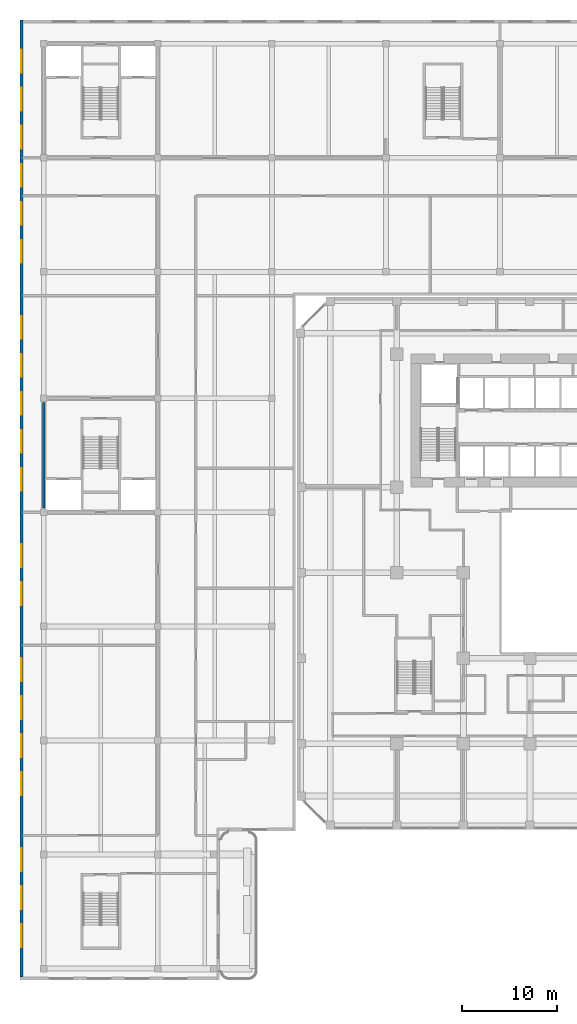
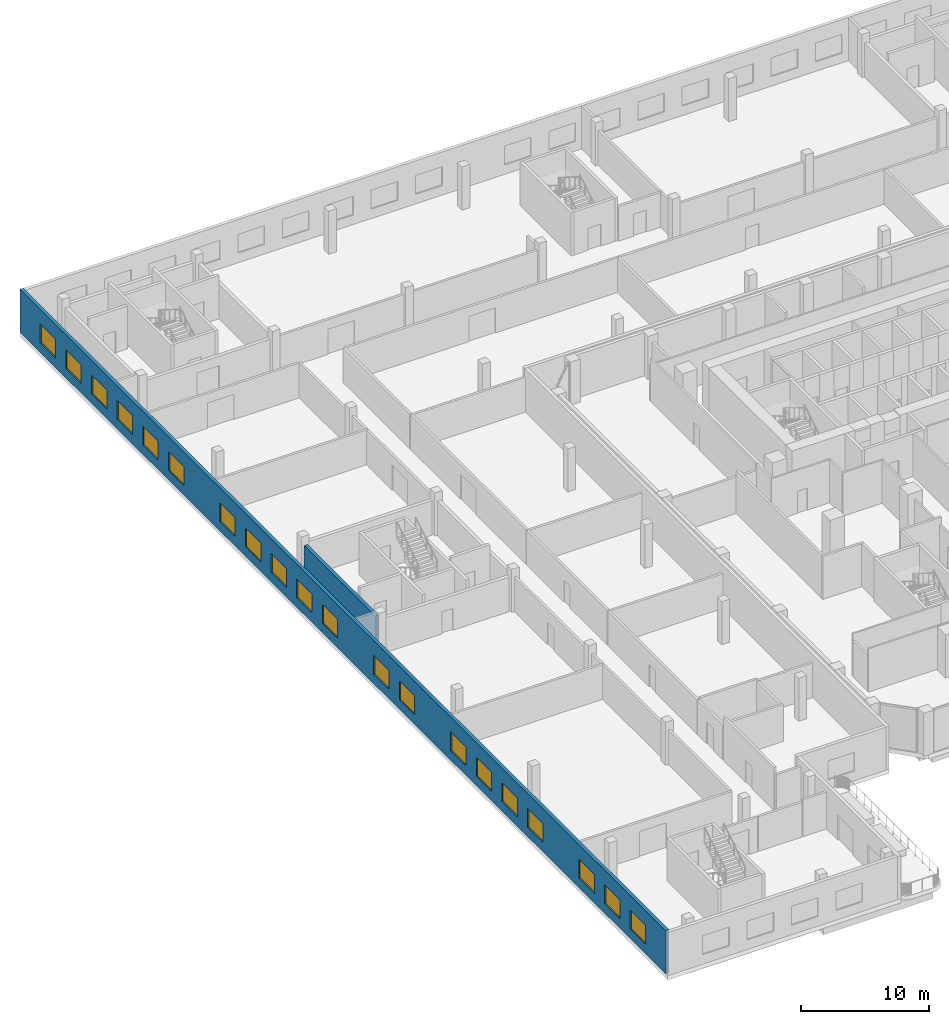
# One storey, part 16 of 36: 20 windows, 2 walls, 20 openings.
"""IFC4 building model written with IfcOpenShell, lengths in metres."""

from ifc_helpers import new_model, si_unit, direction, frame, frame_2d, origin, place, context, subcontext, project, spatial, rectangle, extrude, source, transform, mapped, material, layer, layer_set, type_object, element, fill, save


model = new_model("IFC4")

# Units and contexts
model_context = context("Model", 3, precision=1e-05, world=origin(), true_north=direction((0.0, 1.0)))
body_context = subcontext(model_context, "Body", "Model", "MODEL_VIEW")
ifc_project = project(units=[si_unit("LENGTHUNIT", "METRE"), si_unit("AREAUNIT", "SQUARE_METRE"), si_unit("VOLUMEUNIT", "CUBIC_METRE"), si_unit("PLANEANGLEUNIT", "RADIAN"), si_unit("MASSUNIT", "GRAM", prefix="KILO")], contexts=[model_context])

# Site, building, storey
site_placement = place(None, origin())
site = spatial("IfcSite", under=ifc_project, at=site_placement, CompositionType="ELEMENT")
building_placement = place(site_placement, origin())
building = spatial("IfcBuilding", under=site, at=building_placement, Name="Kilnfold Tower and Market Hall", CompositionType="ELEMENT")
storey_placement = place(building_placement, frame((0.0, 0.0, 18.0)))
storey = spatial("IfcBuildingStorey", under=building, at=storey_placement, Name="L03", CompositionType="ELEMENT", Elevation=18.0)

# Wall
ifc_material_1 = material(Name="Concrete C50/60", Category="concrete")
ifc_layer_1 = layer(ifc_material_1, 0.300048828125)
ifc_layer_set_1 = layer_set([ifc_layer_1], Name="Concrete C50/60")
wall_type_1 = type_object("IfcWallType", Name="HALL CORE WALL 300", PredefinedType="SHEAR", material=ifc_layer_set_1)
shared_shape_1 = source(origin(), body_context, "Body", "SweptSolid", [
    extrude(rectangle(XDim=11.099853515625, YDim=0.300048828125, at=frame_2d((5.5498046875, 0.0))), origin(), (0.0, 0.0, 1.0), 3.300048828125),
])
wall_1_placement = place(storey_placement, frame((-54.64990234375, 5.800048828125, 0.0), z_axis=(0.0, 0.0, 1.0), x_axis=(0.0, 1.0, 0.0)))
element("IfcWall", 1, at=wall_1_placement, inside=storey, type_object=wall_type_1, Name="Core wall MH1", PredefinedType="SHEAR", context=body_context, shape_type="MappedRepresentation", body=[
    mapped(shared_shape_1, transform((0.0, 0.0, 0.0))),
])

# Wall, openings, windows
ifc_material_2 = material(Name="Concrete blockwork", Category="masonry")
ifc_layer_2 = layer(ifc_material_2, 0.300048828125)
ifc_layer_set_2 = layer_set([ifc_layer_2], Name="Concrete blockwork")
wall_type_2 = type_object("IfcWallType", Name="HALL EXTERNAL WALL 300 EI 60", PredefinedType="SOLIDWALL", material=ifc_layer_set_2)
shared_shape_2 = source(origin(), body_context, "Body", "SweptSolid", [
    extrude(rectangle(XDim=100.699951171875, YDim=0.300048828125, at=frame_2d((50.35009765625, 0.0))), origin(), (0.0, 0.0, 1.0), 4.10009765625),
])
wall_2_placement = place(storey_placement, frame((-57.0, -43.550048828125, 0.0), z_axis=(0.0, 0.0, 1.0), x_axis=(0.0, 1.0, 0.0)))
wall_2 = element("IfcWall", 2, at=wall_2_placement, inside=storey, type_object=wall_type_2, Name="External wall MEW-L03.1", PredefinedType="SOLIDWALL", context=body_context, shape_type="MappedRepresentation", body=[
    mapped(shared_shape_2, transform((0.0, 0.0, 0.0))),
])
opening_1_placement = place(wall_2_placement, frame((3.14990234375, 0.0, 0.89990234375)))
opening_1 = element("IfcOpeningElement", 3, at=opening_1_placement, cuts=wall_2, Name="Opening MEN3", PredefinedType="OPENING", context=body_context, shape_type="SweptSolid", body=[
    extrude(rectangle(XDim=2.39990234375, YDim=1.800048828125, at=frame_2d((1.199951171875, 0.89990234375))), frame((0.0, 0.16015625, 0.0), z_axis=(0.0, -1.0, 0.0), x_axis=(1.0, 0.0, 0.0)), (0.0, 0.0, 1.0), 0.320068359375),
])
opening_2_placement = place(wall_2_placement, frame((7.14990234375, 0.0, 0.89990234375)))
opening_2 = element("IfcOpeningElement", 4, at=opening_2_placement, cuts=wall_2, Name="Opening MEN3", PredefinedType="OPENING", context=body_context, shape_type="SweptSolid", body=[
    extrude(rectangle(XDim=2.39990234375, YDim=1.800048828125, at=frame_2d((1.199951171875, 0.89990234375))), frame((0.0, 0.16015625, 0.0), z_axis=(0.0, -1.0, 0.0), x_axis=(1.0, 0.0, 0.0)), (0.0, 0.0, 1.0), 0.320068359375),
])
opening_3_placement = place(wall_2_placement, frame((11.14990234375, 0.0, 0.89990234375)))
opening_3 = element("IfcOpeningElement", 5, at=opening_3_placement, cuts=wall_2, Name="Opening MEN3", PredefinedType="OPENING", context=body_context, shape_type="SweptSolid", body=[
    extrude(rectangle(XDim=2.39990234375, YDim=1.800048828125, at=frame_2d((1.199951171875, 0.89990234375))), frame((0.0, 0.16015625, 0.0), z_axis=(0.0, -1.0, 0.0), x_axis=(1.0, 0.0, 0.0)), (0.0, 0.0, 1.0), 0.320068359375),
])
opening_4_placement = place(wall_2_placement, frame((19.14990234375, 0.0, 0.89990234375)))
opening_4 = element("IfcOpeningElement", 6, at=opening_4_placement, cuts=wall_2, Name="Opening MEN3", PredefinedType="OPENING", context=body_context, shape_type="SweptSolid", body=[
    extrude(rectangle(XDim=2.39990234375, YDim=1.800048828125, at=frame_2d((1.199951171875, 0.89990234375))), frame((0.0, 0.16015625, 0.0), z_axis=(0.0, -1.0, 0.0), x_axis=(1.0, 0.0, 0.0)), (0.0, 0.0, 1.0), 0.320068359375),
])
opening_5_placement = place(wall_2_placement, frame((23.14990234375, 0.0, 0.89990234375)))
opening_5 = element("IfcOpeningElement", 7, at=opening_5_placement, cuts=wall_2, Name="Opening MEN3", PredefinedType="OPENING", context=body_context, shape_type="SweptSolid", body=[
    extrude(rectangle(XDim=2.39990234375, YDim=1.800048828125, at=frame_2d((1.199951171875, 0.89990234375))), frame((0.0, 0.16015625, 0.0), z_axis=(0.0, -1.0, 0.0), x_axis=(1.0, 0.0, 0.0)), (0.0, 0.0, 1.0), 0.320068359375),
])
opening_6_placement = place(wall_2_placement, frame((27.14990234375, 0.0, 0.89990234375)))
opening_6 = element("IfcOpeningElement", 8, at=opening_6_placement, cuts=wall_2, Name="Opening MEN3", PredefinedType="OPENING", context=body_context, shape_type="SweptSolid", body=[
    extrude(rectangle(XDim=2.39990234375, YDim=1.800048828125, at=frame_2d((1.199951171875, 0.89990234375))), frame((0.0, 0.16015625, 0.0), z_axis=(0.0, -1.0, 0.0), x_axis=(1.0, 0.0, 0.0)), (0.0, 0.0, 1.0), 0.320068359375),
])
opening_7_placement = place(wall_2_placement, frame((31.14990234375, 0.0, 0.89990234375)))
opening_7 = element("IfcOpeningElement", 9, at=opening_7_placement, cuts=wall_2, Name="Opening MEN3", PredefinedType="OPENING", context=body_context, shape_type="SweptSolid", body=[
    extrude(rectangle(XDim=2.39990234375, YDim=1.800048828125, at=frame_2d((1.199951171875, 0.89990234375))), frame((0.0, 0.16015625, 0.0), z_axis=(0.0, -1.0, 0.0), x_axis=(1.0, 0.0, 0.0)), (0.0, 0.0, 1.0), 0.320068359375),
])
opening_8_placement = place(wall_2_placement, frame((39.14990234375, 0.0, 0.89990234375)))
opening_8 = element("IfcOpeningElement", 10, at=opening_8_placement, cuts=wall_2, Name="Opening MEN3", PredefinedType="OPENING", context=body_context, shape_type="SweptSolid", body=[
    extrude(rectangle(XDim=2.39990234375, YDim=1.800048828125, at=frame_2d((1.199951171875, 0.89990234375))), frame((0.0, 0.16015625, 0.0), z_axis=(0.0, -1.0, 0.0), x_axis=(1.0, 0.0, 0.0)), (0.0, 0.0, 1.0), 0.320068359375),
])
opening_9_placement = place(wall_2_placement, frame((43.14990234375, 0.0, 0.89990234375)))
opening_9 = element("IfcOpeningElement", 11, at=opening_9_placement, cuts=wall_2, Name="Opening MEN3", PredefinedType="OPENING", context=body_context, shape_type="SweptSolid", body=[
    extrude(rectangle(XDim=2.39990234375, YDim=1.800048828125, at=frame_2d((1.199951171875, 0.89990234375))), frame((0.0, 0.16015625, 0.0), z_axis=(0.0, -1.0, 0.0), x_axis=(1.0, 0.0, 0.0)), (0.0, 0.0, 1.0), 0.320068359375),
])
opening_10_placement = place(wall_2_placement, frame((51.14990234375, 0.0, 0.89990234375)))
opening_10 = element("IfcOpeningElement", 12, at=opening_10_placement, cuts=wall_2, Name="Opening MEN3", PredefinedType="OPENING", context=body_context, shape_type="SweptSolid", body=[
    extrude(rectangle(XDim=2.39990234375, YDim=1.800048828125, at=frame_2d((1.199951171875, 0.89990234375))), frame((0.0, 0.16015625, 0.0), z_axis=(0.0, -1.0, 0.0), x_axis=(1.0, 0.0, 0.0)), (0.0, 0.0, 1.0), 0.320068359375),
])
opening_11_placement = place(wall_2_placement, frame((55.14990234375, 0.0, 0.89990234375)))
opening_11 = element("IfcOpeningElement", 13, at=opening_11_placement, cuts=wall_2, Name="Opening MEN3", PredefinedType="OPENING", context=body_context, shape_type="SweptSolid", body=[
    extrude(rectangle(XDim=2.39990234375, YDim=1.800048828125, at=frame_2d((1.199951171875, 0.89990234375))), frame((0.0, 0.16015625, 0.0), z_axis=(0.0, -1.0, 0.0), x_axis=(1.0, 0.0, 0.0)), (0.0, 0.0, 1.0), 0.320068359375),
])
opening_12_placement = place(wall_2_placement, frame((59.14990234375, 0.0, 0.89990234375)))
opening_12 = element("IfcOpeningElement", 14, at=opening_12_placement, cuts=wall_2, Name="Opening MEN3", PredefinedType="OPENING", context=body_context, shape_type="SweptSolid", body=[
    extrude(rectangle(XDim=2.39990234375, YDim=1.800048828125, at=frame_2d((1.199951171875, 0.89990234375))), frame((0.0, 0.16015625, 0.0), z_axis=(0.0, -1.0, 0.0), x_axis=(1.0, 0.0, 0.0)), (0.0, 0.0, 1.0), 0.320068359375),
])
opening_13_placement = place(wall_2_placement, frame((63.14990234375, 0.0, 0.89990234375)))
opening_13 = element("IfcOpeningElement", 15, at=opening_13_placement, cuts=wall_2, Name="Opening MEN3", PredefinedType="OPENING", context=body_context, shape_type="SweptSolid", body=[
    extrude(rectangle(XDim=2.39990234375, YDim=1.800048828125, at=frame_2d((1.199951171875, 0.89990234375))), frame((0.0, 0.16015625, 0.0), z_axis=(0.0, -1.0, 0.0), x_axis=(1.0, 0.0, 0.0)), (0.0, 0.0, 1.0), 0.320068359375),
])
opening_14_placement = place(wall_2_placement, frame((67.14990234375, 0.0, 0.89990234375)))
opening_14 = element("IfcOpeningElement", 16, at=opening_14_placement, cuts=wall_2, Name="Opening MEN3", PredefinedType="OPENING", context=body_context, shape_type="SweptSolid", body=[
    extrude(rectangle(XDim=2.39990234375, YDim=1.800048828125, at=frame_2d((1.199951171875, 0.89990234375))), frame((0.0, 0.16015625, 0.0), z_axis=(0.0, -1.0, 0.0), x_axis=(1.0, 0.0, 0.0)), (0.0, 0.0, 1.0), 0.320068359375),
])
opening_15_placement = place(wall_2_placement, frame((75.14990234375, 0.0, 0.89990234375)))
opening_15 = element("IfcOpeningElement", 17, at=opening_15_placement, cuts=wall_2, Name="Opening MEN3", PredefinedType="OPENING", context=body_context, shape_type="SweptSolid", body=[
    extrude(rectangle(XDim=2.39990234375, YDim=1.800048828125, at=frame_2d((1.199951171875, 0.89990234375))), frame((0.0, 0.16015625, 0.0), z_axis=(0.0, -1.0, 0.0), x_axis=(1.0, 0.0, 0.0)), (0.0, 0.0, 1.0), 0.320068359375),
])
opening_16_placement = place(wall_2_placement, frame((79.14990234375, 0.0, 0.89990234375)))
opening_16 = element("IfcOpeningElement", 18, at=opening_16_placement, cuts=wall_2, Name="Opening MEN3", PredefinedType="OPENING", context=body_context, shape_type="SweptSolid", body=[
    extrude(rectangle(XDim=2.39990234375, YDim=1.800048828125, at=frame_2d((1.199951171875, 0.89990234375))), frame((0.0, 0.16015625, 0.0), z_axis=(0.0, -1.0, 0.0), x_axis=(1.0, 0.0, 0.0)), (0.0, 0.0, 1.0), 0.320068359375),
])
opening_17_placement = place(wall_2_placement, frame((83.14990234375, 0.0, 0.89990234375)))
opening_17 = element("IfcOpeningElement", 19, at=opening_17_placement, cuts=wall_2, Name="Opening MEN3", PredefinedType="OPENING", context=body_context, shape_type="SweptSolid", body=[
    extrude(rectangle(XDim=2.39990234375, YDim=1.800048828125, at=frame_2d((1.199951171875, 0.89990234375))), frame((0.0, 0.16015625, 0.0), z_axis=(0.0, -1.0, 0.0), x_axis=(1.0, 0.0, 0.0)), (0.0, 0.0, 1.0), 0.320068359375),
])
opening_18_placement = place(wall_2_placement, frame((87.14990234375, 0.0, 0.89990234375)))
opening_18 = element("IfcOpeningElement", 20, at=opening_18_placement, cuts=wall_2, Name="Opening MEN3", PredefinedType="OPENING", context=body_context, shape_type="SweptSolid", body=[
    extrude(rectangle(XDim=2.39990234375, YDim=1.800048828125, at=frame_2d((1.199951171875, 0.89990234375))), frame((0.0, 0.16015625, 0.0), z_axis=(0.0, -1.0, 0.0), x_axis=(1.0, 0.0, 0.0)), (0.0, 0.0, 1.0), 0.320068359375),
])
opening_19_placement = place(wall_2_placement, frame((91.14990234375, 0.0, 0.89990234375)))
opening_19 = element("IfcOpeningElement", 21, at=opening_19_placement, cuts=wall_2, Name="Opening MEN3", PredefinedType="OPENING", context=body_context, shape_type="SweptSolid", body=[
    extrude(rectangle(XDim=2.39990234375, YDim=1.800048828125, at=frame_2d((1.199951171875, 0.89990234375))), frame((0.0, 0.16015625, 0.0), z_axis=(0.0, -1.0, 0.0), x_axis=(1.0, 0.0, 0.0)), (0.0, 0.0, 1.0), 0.320068359375),
])
opening_20_placement = place(wall_2_placement, frame((95.14990234375, 0.0, 0.89990234375)))
opening_20 = element("IfcOpeningElement", 22, at=opening_20_placement, cuts=wall_2, Name="Opening MEN3", PredefinedType="OPENING", context=body_context, shape_type="SweptSolid", body=[
    extrude(rectangle(XDim=2.39990234375, YDim=1.800048828125, at=frame_2d((1.199951171875, 0.89990234375))), frame((0.0, 0.16015625, 0.0), z_axis=(0.0, -1.0, 0.0), x_axis=(1.0, 0.0, 0.0)), (0.0, 0.0, 1.0), 0.320068359375),
])
ifc_material_3 = material(Name="Aluminium glazing", Category="aluminium")
window_type = type_object("IfcWindowType", Name="HALL WINDOW 2400X1800", PartitioningType="SINGLE_PANEL", PredefinedType="WINDOW", material=ifc_material_3)
window_1_placement = place(opening_1_placement, origin())
window_1 = element("IfcWindow", 23, at=window_1_placement, inside=storey, type_object=window_type, Name="Window upper", OverallHeight=1.800048828125, OverallWidth=2.39990234375, PartitioningType="SINGLE_PANEL", PredefinedType="WINDOW", context=body_context, shape_type="SweptSolid", body=[
    extrude(rectangle(XDim=2.39990234375, YDim=1.800048828125, at=frame_2d((1.199951171875, 0.89990234375))), frame((0.0, 0.030029296875, 0.0), z_axis=(0.0, -1.0, 0.0), x_axis=(1.0, 0.0, 0.0)), (0.0, 0.0, 1.0), 0.06005859375),
])
fill(opening_1, window_1)
window_2_placement = place(opening_2_placement, origin())
window_2 = element("IfcWindow", 24, at=window_2_placement, inside=storey, type_object=window_type, Name="Window upper", OverallHeight=1.800048828125, OverallWidth=2.39990234375, PartitioningType="SINGLE_PANEL", PredefinedType="WINDOW", context=body_context, shape_type="SweptSolid", body=[
    extrude(rectangle(XDim=2.39990234375, YDim=1.800048828125, at=frame_2d((1.199951171875, 0.89990234375))), frame((0.0, 0.030029296875, 0.0), z_axis=(0.0, -1.0, 0.0), x_axis=(1.0, 0.0, 0.0)), (0.0, 0.0, 1.0), 0.06005859375),
])
fill(opening_2, window_2)
window_3_placement = place(opening_3_placement, origin())
window_3 = element("IfcWindow", 25, at=window_3_placement, inside=storey, type_object=window_type, Name="Window upper", OverallHeight=1.800048828125, OverallWidth=2.39990234375, PartitioningType="SINGLE_PANEL", PredefinedType="WINDOW", context=body_context, shape_type="SweptSolid", body=[
    extrude(rectangle(XDim=2.39990234375, YDim=1.800048828125, at=frame_2d((1.199951171875, 0.89990234375))), frame((0.0, 0.030029296875, 0.0), z_axis=(0.0, -1.0, 0.0), x_axis=(1.0, 0.0, 0.0)), (0.0, 0.0, 1.0), 0.06005859375),
])
fill(opening_3, window_3)
window_4_placement = place(opening_4_placement, origin())
window_4 = element("IfcWindow", 26, at=window_4_placement, inside=storey, type_object=window_type, Name="Window upper", OverallHeight=1.800048828125, OverallWidth=2.39990234375, PartitioningType="SINGLE_PANEL", PredefinedType="WINDOW", context=body_context, shape_type="SweptSolid", body=[
    extrude(rectangle(XDim=2.39990234375, YDim=1.800048828125, at=frame_2d((1.199951171875, 0.89990234375))), frame((0.0, 0.030029296875, 0.0), z_axis=(0.0, -1.0, 0.0), x_axis=(1.0, 0.0, 0.0)), (0.0, 0.0, 1.0), 0.06005859375),
])
fill(opening_4, window_4)
window_5_placement = place(opening_5_placement, origin())
window_5 = element("IfcWindow", 27, at=window_5_placement, inside=storey, type_object=window_type, Name="Window upper", OverallHeight=1.800048828125, OverallWidth=2.39990234375, PartitioningType="SINGLE_PANEL", PredefinedType="WINDOW", context=body_context, shape_type="SweptSolid", body=[
    extrude(rectangle(XDim=2.39990234375, YDim=1.800048828125, at=frame_2d((1.199951171875, 0.89990234375))), frame((0.0, 0.030029296875, 0.0), z_axis=(0.0, -1.0, 0.0), x_axis=(1.0, 0.0, 0.0)), (0.0, 0.0, 1.0), 0.06005859375),
])
fill(opening_5, window_5)
window_6_placement = place(opening_6_placement, origin())
window_6 = element("IfcWindow", 28, at=window_6_placement, inside=storey, type_object=window_type, Name="Window upper", OverallHeight=1.800048828125, OverallWidth=2.39990234375, PartitioningType="SINGLE_PANEL", PredefinedType="WINDOW", context=body_context, shape_type="SweptSolid", body=[
    extrude(rectangle(XDim=2.39990234375, YDim=1.800048828125, at=frame_2d((1.199951171875, 0.89990234375))), frame((0.0, 0.030029296875, 0.0), z_axis=(0.0, -1.0, 0.0), x_axis=(1.0, 0.0, 0.0)), (0.0, 0.0, 1.0), 0.06005859375),
])
fill(opening_6, window_6)
window_7_placement = place(opening_7_placement, origin())
window_7 = element("IfcWindow", 29, at=window_7_placement, inside=storey, type_object=window_type, Name="Window upper", OverallHeight=1.800048828125, OverallWidth=2.39990234375, PartitioningType="SINGLE_PANEL", PredefinedType="WINDOW", context=body_context, shape_type="SweptSolid", body=[
    extrude(rectangle(XDim=2.39990234375, YDim=1.800048828125, at=frame_2d((1.199951171875, 0.89990234375))), frame((0.0, 0.030029296875, 0.0), z_axis=(0.0, -1.0, 0.0), x_axis=(1.0, 0.0, 0.0)), (0.0, 0.0, 1.0), 0.06005859375),
])
fill(opening_7, window_7)
window_8_placement = place(opening_8_placement, origin())
window_8 = element("IfcWindow", 30, at=window_8_placement, inside=storey, type_object=window_type, Name="Window upper", OverallHeight=1.800048828125, OverallWidth=2.39990234375, PartitioningType="SINGLE_PANEL", PredefinedType="WINDOW", context=body_context, shape_type="SweptSolid", body=[
    extrude(rectangle(XDim=2.39990234375, YDim=1.800048828125, at=frame_2d((1.199951171875, 0.89990234375))), frame((0.0, 0.030029296875, 0.0), z_axis=(0.0, -1.0, 0.0), x_axis=(1.0, 0.0, 0.0)), (0.0, 0.0, 1.0), 0.06005859375),
])
fill(opening_8, window_8)
window_9_placement = place(opening_9_placement, origin())
window_9 = element("IfcWindow", 31, at=window_9_placement, inside=storey, type_object=window_type, Name="Window upper", OverallHeight=1.800048828125, OverallWidth=2.39990234375, PartitioningType="SINGLE_PANEL", PredefinedType="WINDOW", context=body_context, shape_type="SweptSolid", body=[
    extrude(rectangle(XDim=2.39990234375, YDim=1.800048828125, at=frame_2d((1.199951171875, 0.89990234375))), frame((0.0, 0.030029296875, 0.0), z_axis=(0.0, -1.0, 0.0), x_axis=(1.0, 0.0, 0.0)), (0.0, 0.0, 1.0), 0.06005859375),
])
fill(opening_9, window_9)
window_10_placement = place(opening_10_placement, origin())
window_10 = element("IfcWindow", 32, at=window_10_placement, inside=storey, type_object=window_type, Name="Window upper", OverallHeight=1.800048828125, OverallWidth=2.39990234375, PartitioningType="SINGLE_PANEL", PredefinedType="WINDOW", context=body_context, shape_type="SweptSolid", body=[
    extrude(rectangle(XDim=2.39990234375, YDim=1.800048828125, at=frame_2d((1.199951171875, 0.89990234375))), frame((0.0, 0.030029296875, 0.0), z_axis=(0.0, -1.0, 0.0), x_axis=(1.0, 0.0, 0.0)), (0.0, 0.0, 1.0), 0.06005859375),
])
fill(opening_10, window_10)
window_11_placement = place(opening_11_placement, origin())
window_11 = element("IfcWindow", 33, at=window_11_placement, inside=storey, type_object=window_type, Name="Window upper", OverallHeight=1.800048828125, OverallWidth=2.39990234375, PartitioningType="SINGLE_PANEL", PredefinedType="WINDOW", context=body_context, shape_type="SweptSolid", body=[
    extrude(rectangle(XDim=2.39990234375, YDim=1.800048828125, at=frame_2d((1.199951171875, 0.89990234375))), frame((0.0, 0.030029296875, 0.0), z_axis=(0.0, -1.0, 0.0), x_axis=(1.0, 0.0, 0.0)), (0.0, 0.0, 1.0), 0.06005859375),
])
fill(opening_11, window_11)
window_12_placement = place(opening_12_placement, origin())
window_12 = element("IfcWindow", 34, at=window_12_placement, inside=storey, type_object=window_type, Name="Window upper", OverallHeight=1.800048828125, OverallWidth=2.39990234375, PartitioningType="SINGLE_PANEL", PredefinedType="WINDOW", context=body_context, shape_type="SweptSolid", body=[
    extrude(rectangle(XDim=2.39990234375, YDim=1.800048828125, at=frame_2d((1.199951171875, 0.89990234375))), frame((0.0, 0.030029296875, 0.0), z_axis=(0.0, -1.0, 0.0), x_axis=(1.0, 0.0, 0.0)), (0.0, 0.0, 1.0), 0.06005859375),
])
fill(opening_12, window_12)
window_13_placement = place(opening_13_placement, origin())
window_13 = element("IfcWindow", 35, at=window_13_placement, inside=storey, type_object=window_type, Name="Window upper", OverallHeight=1.800048828125, OverallWidth=2.39990234375, PartitioningType="SINGLE_PANEL", PredefinedType="WINDOW", context=body_context, shape_type="SweptSolid", body=[
    extrude(rectangle(XDim=2.39990234375, YDim=1.800048828125, at=frame_2d((1.199951171875, 0.89990234375))), frame((0.0, 0.030029296875, 0.0), z_axis=(0.0, -1.0, 0.0), x_axis=(1.0, 0.0, 0.0)), (0.0, 0.0, 1.0), 0.06005859375),
])
fill(opening_13, window_13)
window_14_placement = place(opening_14_placement, origin())
window_14 = element("IfcWindow", 36, at=window_14_placement, inside=storey, type_object=window_type, Name="Window upper", OverallHeight=1.800048828125, OverallWidth=2.39990234375, PartitioningType="SINGLE_PANEL", PredefinedType="WINDOW", context=body_context, shape_type="SweptSolid", body=[
    extrude(rectangle(XDim=2.39990234375, YDim=1.800048828125, at=frame_2d((1.199951171875, 0.89990234375))), frame((0.0, 0.030029296875, 0.0), z_axis=(0.0, -1.0, 0.0), x_axis=(1.0, 0.0, 0.0)), (0.0, 0.0, 1.0), 0.06005859375),
])
fill(opening_14, window_14)
window_15_placement = place(opening_15_placement, origin())
window_15 = element("IfcWindow", 37, at=window_15_placement, inside=storey, type_object=window_type, Name="Window upper", OverallHeight=1.800048828125, OverallWidth=2.39990234375, PartitioningType="SINGLE_PANEL", PredefinedType="WINDOW", context=body_context, shape_type="SweptSolid", body=[
    extrude(rectangle(XDim=2.39990234375, YDim=1.800048828125, at=frame_2d((1.199951171875, 0.89990234375))), frame((0.0, 0.030029296875, 0.0), z_axis=(0.0, -1.0, 0.0), x_axis=(1.0, 0.0, 0.0)), (0.0, 0.0, 1.0), 0.06005859375),
])
fill(opening_15, window_15)
window_16_placement = place(opening_16_placement, origin())
window_16 = element("IfcWindow", 38, at=window_16_placement, inside=storey, type_object=window_type, Name="Window upper", OverallHeight=1.800048828125, OverallWidth=2.39990234375, PartitioningType="SINGLE_PANEL", PredefinedType="WINDOW", context=body_context, shape_type="SweptSolid", body=[
    extrude(rectangle(XDim=2.39990234375, YDim=1.800048828125, at=frame_2d((1.199951171875, 0.89990234375))), frame((0.0, 0.030029296875, 0.0), z_axis=(0.0, -1.0, 0.0), x_axis=(1.0, 0.0, 0.0)), (0.0, 0.0, 1.0), 0.06005859375),
])
fill(opening_16, window_16)
window_17_placement = place(opening_17_placement, origin())
window_17 = element("IfcWindow", 39, at=window_17_placement, inside=storey, type_object=window_type, Name="Window upper", OverallHeight=1.800048828125, OverallWidth=2.39990234375, PartitioningType="SINGLE_PANEL", PredefinedType="WINDOW", context=body_context, shape_type="SweptSolid", body=[
    extrude(rectangle(XDim=2.39990234375, YDim=1.800048828125, at=frame_2d((1.199951171875, 0.89990234375))), frame((0.0, 0.030029296875, 0.0), z_axis=(0.0, -1.0, 0.0), x_axis=(1.0, 0.0, 0.0)), (0.0, 0.0, 1.0), 0.06005859375),
])
fill(opening_17, window_17)
window_18_placement = place(opening_18_placement, origin())
window_18 = element("IfcWindow", 40, at=window_18_placement, inside=storey, type_object=window_type, Name="Window upper", OverallHeight=1.800048828125, OverallWidth=2.39990234375, PartitioningType="SINGLE_PANEL", PredefinedType="WINDOW", context=body_context, shape_type="SweptSolid", body=[
    extrude(rectangle(XDim=2.39990234375, YDim=1.800048828125, at=frame_2d((1.199951171875, 0.89990234375))), frame((0.0, 0.030029296875, 0.0), z_axis=(0.0, -1.0, 0.0), x_axis=(1.0, 0.0, 0.0)), (0.0, 0.0, 1.0), 0.06005859375),
])
fill(opening_18, window_18)
window_19_placement = place(opening_19_placement, origin())
window_19 = element("IfcWindow", 41, at=window_19_placement, inside=storey, type_object=window_type, Name="Window upper", OverallHeight=1.800048828125, OverallWidth=2.39990234375, PartitioningType="SINGLE_PANEL", PredefinedType="WINDOW", context=body_context, shape_type="SweptSolid", body=[
    extrude(rectangle(XDim=2.39990234375, YDim=1.800048828125, at=frame_2d((1.199951171875, 0.89990234375))), frame((0.0, 0.030029296875, 0.0), z_axis=(0.0, -1.0, 0.0), x_axis=(1.0, 0.0, 0.0)), (0.0, 0.0, 1.0), 0.06005859375),
])
fill(opening_19, window_19)
window_20_placement = place(opening_20_placement, origin())
window_20 = element("IfcWindow", 42, at=window_20_placement, inside=storey, type_object=window_type, Name="Window upper", OverallHeight=1.800048828125, OverallWidth=2.39990234375, PartitioningType="SINGLE_PANEL", PredefinedType="WINDOW", context=body_context, shape_type="SweptSolid", body=[
    extrude(rectangle(XDim=2.39990234375, YDim=1.800048828125, at=frame_2d((1.199951171875, 0.89990234375))), frame((0.0, 0.030029296875, 0.0), z_axis=(0.0, -1.0, 0.0), x_axis=(1.0, 0.0, 0.0)), (0.0, 0.0, 1.0), 0.06005859375),
])
fill(opening_20, window_20)

save(model, "model.ifc")
